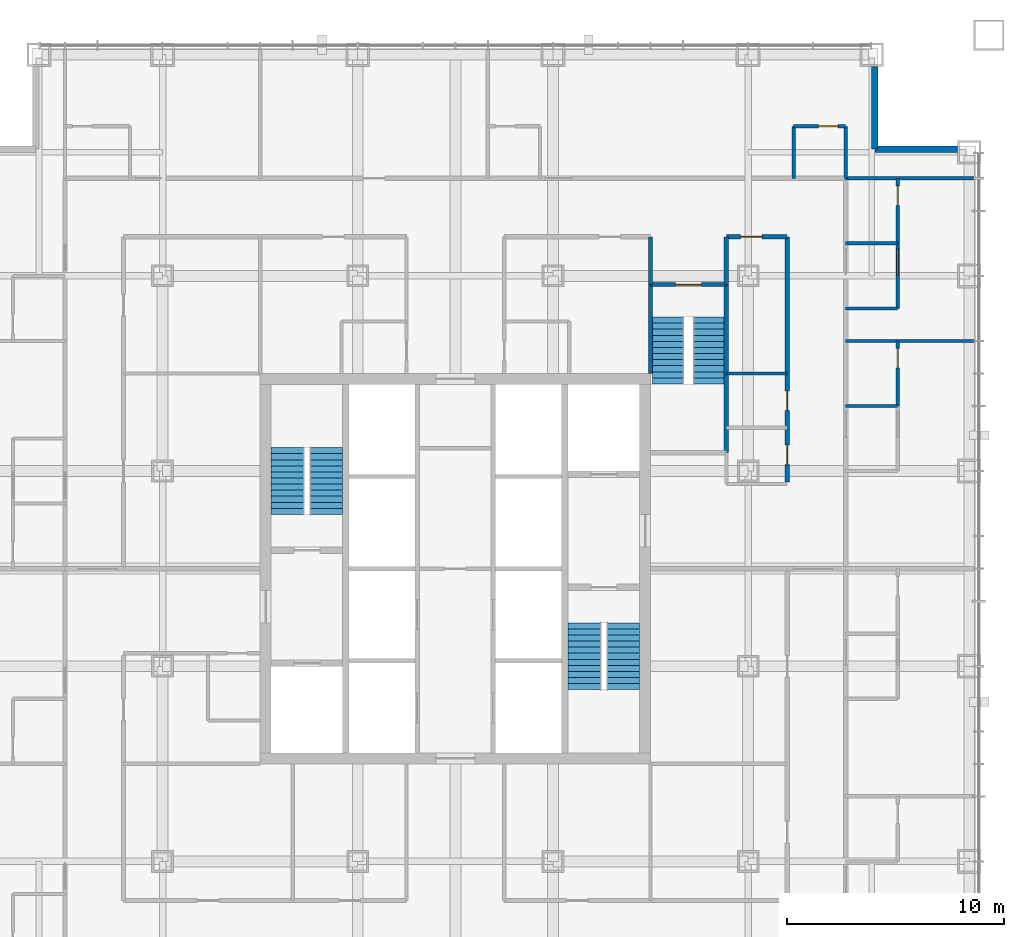
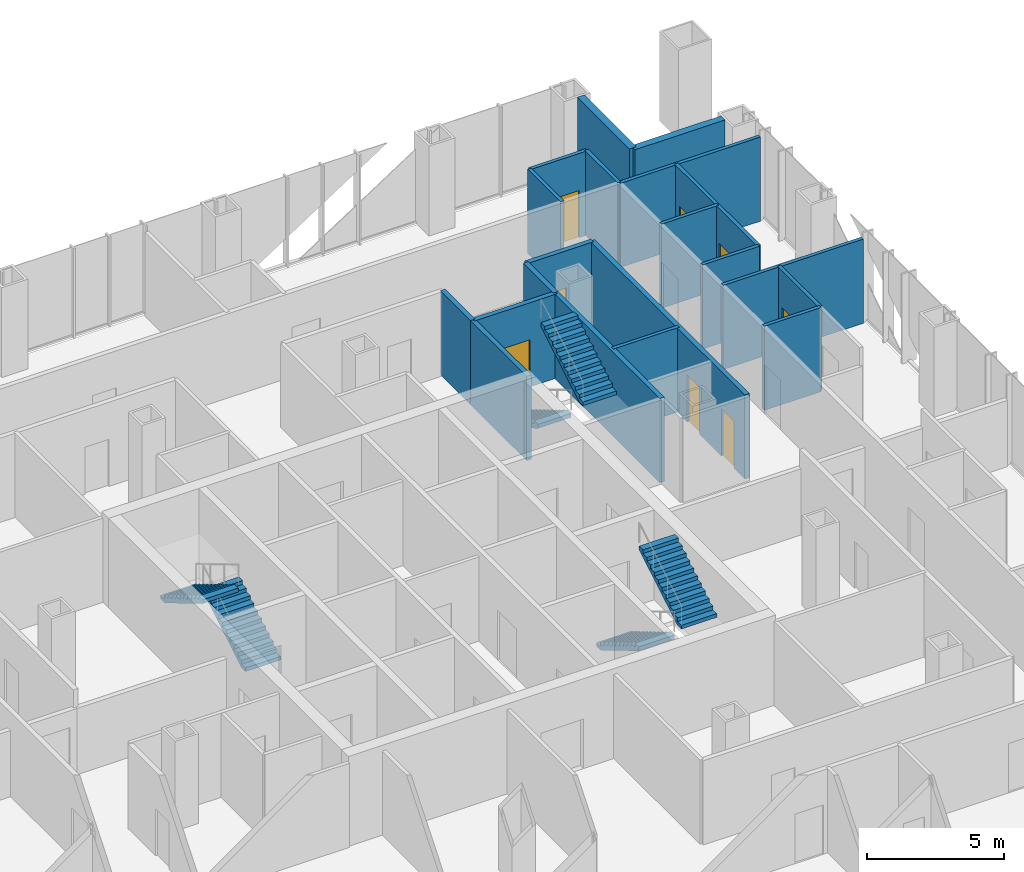
# One storey, part 12 of 13: 21 walls, 8 doors, 6 stair flights, 8 openings, 3 elements without a shape of their own.
"""IFC4 building model written with IfcOpenShell, lengths in metres."""

from ifc_helpers import new_model, si_unit, direction, frame, frame_2d, origin, place, context, subcontext, project, spatial, polyline, rectangle, outline, extrude, material, layer, layer_set, type_object, element, fill, aggregate, save


model = new_model("IFC4")

# Units and contexts
model_context = context("Model", 3, precision=1e-05, world=origin(), true_north=direction((0.0, 1.0)))
body_context = subcontext(model_context, "Body", "Model", "MODEL_VIEW")
ifc_project = project(units=[si_unit("LENGTHUNIT", "METRE"), si_unit("AREAUNIT", "SQUARE_METRE"), si_unit("VOLUMEUNIT", "CUBIC_METRE"), si_unit("PLANEANGLEUNIT", "RADIAN"), si_unit("MASSUNIT", "GRAM", prefix="KILO")], contexts=[model_context])

# Site, building, storey
site_placement = place(None, origin())
site = spatial("IfcSite", under=ifc_project, at=site_placement, CompositionType="ELEMENT")
building_placement = place(site_placement, origin())
building = spatial("IfcBuilding", under=site, at=building_placement, Name="Malebo Sky Hospital", CompositionType="ELEMENT")
storey_placement = place(building_placement, frame((0.0, 0.0, 160.0)))
storey = spatial("IfcBuildingStorey", under=building, at=storey_placement, Name="L38", CompositionType="ELEMENT", Elevation=160.0)

# Wall, opening, door
ifc_material_1 = material(Name="Gypsum board on steel studs", Category="steel")
ifc_layer_1 = layer(ifc_material_1, 0.199951171875)
ifc_layer_set_1 = layer_set([ifc_layer_1], Name="CORRIDOR WALL 200")
wall_type_1 = type_object("IfcWallType", Name="CORRIDOR WALL 200", PredefinedType="PARTITIONING", material=ifc_layer_set_1)
wall_1_placement = place(storey_placement, frame((72.5, 77.300048828125, 0.0), z_axis=(0.0, 0.0, 1.0), x_axis=(1.0, 0.0, 0.0)))
wall_1 = element("IfcWall", 1, at=wall_1_placement, inside=storey, type_object=wall_type_1, Name="Corridor Wall 200 NCI2/2", PredefinedType="PARTITIONING", context=body_context, shape_type="SweptSolid", body=[
    extrude(rectangle(XDim=2.800048828125, YDim=0.199951171875, at=frame_2d((1.39990234375, 0.0))), origin(), (0.0, 0.0, 1.0), 3.75),
])
opening_1_placement = place(wall_1_placement, frame((0.64990234375, 0.0, 0.0)))
opening_1 = element("IfcOpeningElement", 2, at=opening_1_placement, cuts=wall_1, Name="Opening D03", PredefinedType="OPENING", context=body_context, shape_type="SweptSolid", body=[
    extrude(rectangle(XDim=1.0, YDim=2.10009765625, at=frame_2d((0.5, 1.050048828125))), frame((0.0, 0.10986328125, 0.0), z_axis=(0.0, -1.0, 0.0), x_axis=(1.0, 0.0, 0.0)), (0.0, 0.0, 1.0), 0.219970703125),
])
ifc_material_2 = material(Name="Hardwood-faced door leaf in steel frame", Category="steel")
door_type_1 = type_object("IfcDoorType", Name="ROOM DOOR 1000", OperationType="SINGLE_SWING_LEFT", PredefinedType="DOOR", material=ifc_material_2)
door_1_placement = place(opening_1_placement, origin())
door_1 = element("IfcDoor", 3, at=door_1_placement, inside=storey, type_object=door_type_1, Name="Equipment store door", OperationType="SINGLE_SWING_LEFT", OverallHeight=2.10009765625, OverallWidth=1.0, PredefinedType="DOOR", context=body_context, shape_type="SweptSolid", body=[
    extrude(rectangle(XDim=1.0, YDim=2.10009765625, at=frame_2d((0.5, 1.050048828125))), frame((0.0, 0.02490234375, 0.0), z_axis=(0.0, -1.0, 0.0), x_axis=(1.0, 0.0, 0.0)), (0.0, 0.0, 1.0), 0.050048828125),
])
fill(opening_1, door_1)

# Wall, openings, doors
wall_2_placement = place(storey_placement, frame((75.300048828125, 77.300048828125, 0.0), z_axis=(0.0, 0.0, 1.0), x_axis=(0.0, -1.0, 0.0)))
wall_2 = element("IfcWall", 4, at=wall_2_placement, inside=storey, type_object=wall_type_1, Name="Corridor Wall 200 ECI1", PredefinedType="PARTITIONING", context=body_context, shape_type="SweptSolid", body=[
    extrude(rectangle(XDim=11.300048828125, YDim=0.199951171875, at=frame_2d((5.64990234375, 0.0))), origin(), (0.0, 0.0, 1.0), 3.75),
])
opening_2_placement = place(wall_2_placement, frame((7.10009765625, 0.0, 0.0)))
opening_2 = element("IfcOpeningElement", 5, at=opening_2_placement, cuts=wall_2, Name="Opening D04", PredefinedType="OPENING", context=body_context, shape_type="SweptSolid", body=[
    extrude(rectangle(XDim=0.89990234375, YDim=2.10009765625, at=frame_2d((0.449951171875, 1.050048828125))), frame((0.0, 0.10986328125, 0.0), z_axis=(0.0, -1.0, 0.0), x_axis=(1.0, 0.0, 0.0)), (0.0, 0.0, 1.0), 0.219970703125),
])
opening_3_placement = place(wall_2_placement, frame((9.60009765625, 0.0, 0.0)))
opening_3 = element("IfcOpeningElement", 6, at=opening_3_placement, cuts=wall_2, Name="Opening D04", PredefinedType="OPENING", context=body_context, shape_type="SweptSolid", body=[
    extrude(rectangle(XDim=0.89990234375, YDim=2.10009765625, at=frame_2d((0.449951171875, 1.050048828125))), frame((0.0, 0.10986328125, 0.0), z_axis=(0.0, -1.0, 0.0), x_axis=(1.0, 0.0, 0.0)), (0.0, 0.0, 1.0), 0.219970703125),
])
door_type_2 = type_object("IfcDoorType", Name="ROOM DOOR 900", OperationType="SINGLE_SWING_LEFT", PredefinedType="DOOR", material=ifc_material_2)
door_2_placement = place(opening_2_placement, origin())
door_2 = element("IfcDoor", 7, at=door_2_placement, inside=storey, type_object=door_type_2, Name="Medication room door", OperationType="SINGLE_SWING_LEFT", OverallHeight=2.10009765625, OverallWidth=0.89990234375, PredefinedType="DOOR", context=body_context, shape_type="SweptSolid", body=[
    extrude(rectangle(XDim=0.89990234375, YDim=2.10009765625, at=frame_2d((0.449951171875, 1.050048828125))), frame((0.0, 0.02490234375, 0.0), z_axis=(0.0, -1.0, 0.0), x_axis=(1.0, 0.0, 0.0)), (0.0, 0.0, 1.0), 0.050048828125),
])
fill(opening_2, door_2)
door_3_placement = place(opening_3_placement, origin())
door_3 = element("IfcDoor", 8, at=door_3_placement, inside=storey, type_object=door_type_2, Name="Linen store door", OperationType="SINGLE_SWING_LEFT", OverallHeight=2.10009765625, OverallWidth=0.89990234375, PredefinedType="DOOR", context=body_context, shape_type="SweptSolid", body=[
    extrude(rectangle(XDim=0.89990234375, YDim=2.10009765625, at=frame_2d((0.449951171875, 1.050048828125))), frame((0.0, 0.02490234375, 0.0), z_axis=(0.0, -1.0, 0.0), x_axis=(1.0, 0.0, 0.0)), (0.0, 0.0, 1.0), 0.050048828125),
])
fill(opening_3, door_3)

# Walls
for number, where, z_axis, x_axis, name in (
    (9, (69.0, 75.10009765625, 0.0), (0.0, 0.0, 1.0), (0.0, 1.0, 0.0), "Corridor Wall 200 ST3AW"),
    (10, (72.5, 75.10009765625, 0.0), (0.0, 0.0, 1.0), (0.0, 1.0, 0.0), "Corridor Wall 200 ST3AE"),
):
    element("IfcWall", number, at=place(storey_placement, frame(where, z_axis=z_axis, x_axis=x_axis)), inside=storey, type_object=wall_type_1, Name=name, PredefinedType="PARTITIONING", context=body_context, shape_type="SweptSolid", body=[
        extrude(rectangle(XDim=2.199951171875, YDim=0.199951171875, at=frame_2d((1.10009765625, 0.0))), origin(), (0.0, 0.0, 1.0), 3.75),
    ])
ifc_material_3 = material(Name="Anodised aluminium rainscreen on steel framing", Category="steel")
ifc_layer_2 = layer(ifc_material_3, 0.300048828125)
ifc_layer_set_2 = layer_set([ifc_layer_2], Name="NOTCH RAINSCREEN WALL 300")
wall_type_2 = type_object("IfcWallType", Name="NOTCH RAINSCREEN WALL 300", PredefinedType="ELEMENTEDWALL", material=ifc_layer_set_2)
for number, where, z_axis, x_axis, name in (
    (11, (79.35009765625, 85.14990234375, 0.0), (0.0, 0.0, 1.0), (0.0, -1.0, 0.0), "Notch rainscreen wall N1 L38"),
    (12, (79.35009765625, 81.35009765625, 0.0), (0.0, 0.0, 1.0), (1.0, 0.0, 0.0), "Notch rainscreen wall N2 L38"),
):
    element("IfcWall", number, at=place(storey_placement, frame(where, z_axis=z_axis, x_axis=x_axis)), inside=storey, type_object=wall_type_2, Name=name, PredefinedType="ELEMENTEDWALL", context=body_context, shape_type="SweptSolid", body=[
        extrude(rectangle(XDim=3.7998046875, YDim=0.300048828125, at=frame_2d((1.89990234375, 0.0))), origin(), (0.0, 0.0, 1.0), 4.0),
    ])

# Wall, opening, door
ifc_layer_3 = layer(ifc_material_1, 0.14990234375)
ifc_layer_set_3 = layer_set([ifc_layer_3], Name="PARTITION 150")
wall_type_3 = type_object("IfcWallType", Name="PARTITION 150", PredefinedType="PARTITIONING", material=ifc_layer_set_3)
wall_3_placement = place(storey_placement, frame((75.60009765625, 82.39990234375, 0.0), z_axis=(0.0, 0.0, 1.0), x_axis=(1.0, 0.0, 0.0)))
wall_3 = element("IfcWall", 13, at=wall_3_placement, inside=storey, type_object=wall_type_3, Name="Partition 150 NG2F", PredefinedType="PARTITIONING", context=body_context, shape_type="SweptSolid", body=[
    extrude(rectangle(XDim=2.39990234375, YDim=0.14990234375, at=frame_2d((1.199951171875, 0.0))), origin(), (0.0, 0.0, 1.0), 3.75),
])
opening_4_placement = place(wall_3_placement, frame((1.14990234375, 0.0, 0.0)))
opening_4 = element("IfcOpeningElement", 14, at=opening_4_placement, cuts=wall_3, Name="Opening D02", PredefinedType="OPENING", context=body_context, shape_type="SweptSolid", body=[
    extrude(rectangle(XDim=0.89990234375, YDim=2.10009765625, at=frame_2d((0.449951171875, 1.050048828125))), frame((0.0, 0.0849609375, 0.0), z_axis=(0.0, -1.0, 0.0), x_axis=(1.0, 0.0, 0.0)), (0.0, 0.0, 1.0), 0.169921875),
])
door_type_3 = type_object("IfcDoorType", Name="EN-SUITE DOOR 900", OperationType="SINGLE_SWING_LEFT", PredefinedType="DOOR", material=ifc_material_2)
door_4_placement = place(opening_4_placement, origin())
door_4 = element("IfcDoor", 15, at=door_4_placement, inside=storey, type_object=door_type_3, Name="En-suite door", OperationType="SINGLE_SWING_RIGHT", OverallHeight=2.10009765625, OverallWidth=0.89990234375, PredefinedType="DOOR", context=body_context, shape_type="SweptSolid", body=[
    extrude(rectangle(XDim=0.89990234375, YDim=2.10009765625, at=frame_2d((0.449951171875, 1.050048828125))), frame((0.0, 0.02490234375, 0.0), z_axis=(0.0, -1.0, 0.0), x_axis=(1.0, 0.0, 0.0)), (0.0, 0.0, 1.0), 0.050048828125),
])
fill(opening_4, door_4)

# Walls
for number, where, z_axis, x_axis, name in (
    (16, (75.60009765625, 80.0, 0.0), (0.0, 0.0, 1.0), (0.0, 1.0, 0.0), "Partition 150 NG2S"),
    (17, (78.0, 80.0, 0.0), (0.0, 0.0, 1.0), (0.0, 1.0, 0.0), "Partition 150 NEZ"),
):
    element("IfcWall", number, at=place(storey_placement, frame(where, z_axis=z_axis, x_axis=x_axis)), inside=storey, type_object=wall_type_3, Name=name, PredefinedType="PARTITIONING", context=body_context, shape_type="SweptSolid", body=[
        extrude(rectangle(XDim=2.39990234375, YDim=0.14990234375, at=frame_2d((1.199951171875, 0.0))), origin(), (0.0, 0.0, 1.0), 3.75),
    ])
for number, where, z_axis, x_axis, name in (
    (18, (78.0, 72.5, 0.0), (0.0, 0.0, 1.0), (1.0, 0.0, 0.0), "Partition 150 EP-10.5"),
    (19, (78.0, 80.0, 0.0), (0.0, 0.0, 1.0), (1.0, 0.0, 0.0), "Partition 150 EP0"),
):
    element("IfcWall", number, at=place(storey_placement, frame(where, z_axis=z_axis, x_axis=x_axis)), inside=storey, type_object=wall_type_3, Name=name, PredefinedType="PARTITIONING", context=body_context, shape_type="SweptSolid", body=[
        extrude(rectangle(XDim=5.909912109375, YDim=0.14990234375, at=frame_2d((2.955078125, 0.0))), origin(), (0.0, 0.0, 1.0), 3.75),
    ])

# Wall, opening, door
wall_4_placement = place(storey_placement, frame((80.39990234375, 80.0, 0.0), z_axis=(0.0, 0.0, 1.0), x_axis=(0.0, -1.0, 0.0)))
wall_4 = element("IfcWall", 20, at=wall_4_placement, inside=storey, type_object=wall_type_3, Name="Partition 150 EE0F", PredefinedType="PARTITIONING", context=body_context, shape_type="SweptSolid", body=[
    extrude(rectangle(XDim=3.0, YDim=0.14990234375, at=frame_2d((1.5, 0.0))), origin(), (0.0, 0.0, 1.0), 3.75),
])
opening_5_placement = place(wall_4_placement, frame((0.35009765625, 0.0, 0.0)))
opening_5 = element("IfcOpeningElement", 21, at=opening_5_placement, cuts=wall_4, Name="Opening D02", PredefinedType="OPENING", context=body_context, shape_type="SweptSolid", body=[
    extrude(rectangle(XDim=0.89990234375, YDim=2.10009765625, at=frame_2d((0.449951171875, 1.050048828125))), frame((0.0, 0.0849609375, 0.0), z_axis=(0.0, -1.0, 0.0), x_axis=(1.0, 0.0, 0.0)), (0.0, 0.0, 1.0), 0.169921875),
])
door_5_placement = place(opening_5_placement, origin())
door_5 = element("IfcDoor", 22, at=door_5_placement, inside=storey, type_object=door_type_3, Name="En-suite door", OperationType="SINGLE_SWING_LEFT", OverallHeight=2.10009765625, OverallWidth=0.89990234375, PredefinedType="DOOR", context=body_context, shape_type="SweptSolid", body=[
    extrude(rectangle(XDim=0.89990234375, YDim=2.10009765625, at=frame_2d((0.449951171875, 1.050048828125))), frame((0.0, 0.02490234375, 0.0), z_axis=(0.0, -1.0, 0.0), x_axis=(1.0, 0.0, 0.0)), (0.0, 0.0, 1.0), 0.050048828125),
])
fill(opening_5, door_5)

# Wall
wall_5_placement = place(storey_placement, frame((78.0, 77.0, 0.0), z_axis=(0.0, 0.0, 1.0), x_axis=(1.0, 0.0, 0.0)))
element("IfcWall", 23, at=wall_5_placement, inside=storey, type_object=wall_type_3, Name="Partition 150 EE0S", PredefinedType="PARTITIONING", context=body_context, shape_type="SweptSolid", body=[
    extrude(rectangle(XDim=2.39990234375, YDim=0.14990234375, at=frame_2d((1.199951171875, 0.0))), origin(), (0.0, 0.0, 1.0), 3.75),
])

# Wall, opening, door
wall_6_placement = place(storey_placement, frame((80.39990234375, 72.5, 0.0), z_axis=(0.0, 0.0, 1.0), x_axis=(0.0, -1.0, 0.0)))
wall_6 = element("IfcWall", 24, at=wall_6_placement, inside=storey, type_object=wall_type_3, Name="Partition 150 EE1F", PredefinedType="PARTITIONING", context=body_context, shape_type="SweptSolid", body=[
    extrude(rectangle(XDim=3.0, YDim=0.14990234375, at=frame_2d((1.5, 0.0))), origin(), (0.0, 0.0, 1.0), 3.75),
])
opening_6_placement = place(wall_6_placement, frame((0.35009765625, 0.0, 0.0)))
opening_6 = element("IfcOpeningElement", 25, at=opening_6_placement, cuts=wall_6, Name="Opening D02", PredefinedType="OPENING", context=body_context, shape_type="SweptSolid", body=[
    extrude(rectangle(XDim=0.89990234375, YDim=2.10009765625, at=frame_2d((0.449951171875, 1.050048828125))), frame((0.0, 0.0849609375, 0.0), z_axis=(0.0, -1.0, 0.0), x_axis=(1.0, 0.0, 0.0)), (0.0, 0.0, 1.0), 0.169921875),
])
door_6_placement = place(opening_6_placement, origin())
door_6 = element("IfcDoor", 26, at=door_6_placement, inside=storey, type_object=door_type_3, Name="En-suite door", OperationType="SINGLE_SWING_LEFT", OverallHeight=2.10009765625, OverallWidth=0.89990234375, PredefinedType="DOOR", context=body_context, shape_type="SweptSolid", body=[
    extrude(rectangle(XDim=0.89990234375, YDim=2.10009765625, at=frame_2d((0.449951171875, 1.050048828125))), frame((0.0, 0.02490234375, 0.0), z_axis=(0.0, -1.0, 0.0), x_axis=(1.0, 0.0, 0.0)), (0.0, 0.0, 1.0), 0.050048828125),
])
fill(opening_6, door_6)

# Walls
wall_7_placement = place(storey_placement, frame((78.0, 69.5, 0.0), z_axis=(0.0, 0.0, 1.0), x_axis=(1.0, 0.0, 0.0)))
element("IfcWall", 27, at=wall_7_placement, inside=storey, type_object=wall_type_3, Name="Partition 150 EE1S", PredefinedType="PARTITIONING", context=body_context, shape_type="SweptSolid", body=[
    extrude(rectangle(XDim=2.39990234375, YDim=0.14990234375, at=frame_2d((1.199951171875, 0.0))), origin(), (0.0, 0.0, 1.0), 3.75),
])
wall_8_placement = place(storey_placement, frame((72.5, 71.0, 0.0), z_axis=(0.0, 0.0, 1.0), x_axis=(1.0, 0.0, 0.0)))
element("IfcWall", 28, at=wall_8_placement, inside=storey, type_object=wall_type_3, Name="Partition 150 ESP0", PredefinedType="PARTITIONING", context=body_context, shape_type="SweptSolid", body=[
    extrude(rectangle(XDim=2.800048828125, YDim=0.14990234375, at=frame_2d((1.39990234375, 0.0))), origin(), (0.0, 0.0, 1.0), 3.75),
])

# Wall, opening, door
ifc_material_4 = material(Name="Sealed gypsum board on steel studs, taped to the slab", Category="steel")
ifc_layer_4 = layer(ifc_material_4, 0.14990234375)
ifc_layer_set_4 = layer_set([ifc_layer_4], Name="SEALED ISOLATION PARTITION 150")
wall_type_4 = type_object("IfcWallType", Name="SEALED ISOLATION PARTITION 150", PredefinedType="PARTITIONING", material=ifc_layer_set_4)
wall_9_placement = place(storey_placement, frame((80.39990234375, 77.0, 0.0), z_axis=(0.0, 0.0, 1.0), x_axis=(0.0, -1.0, 0.0)))
wall_9 = element("IfcWall", 29, at=wall_9_placement, inside=storey, type_object=wall_type_4, Name="Sealed Isolation Partition 150 EA0F", PredefinedType="PARTITIONING", context=body_context, shape_type="SweptSolid", body=[
    extrude(rectangle(XDim=3.0, YDim=0.14990234375, at=frame_2d((1.5, 0.0))), origin(), (0.0, 0.0, 1.0), 3.75),
])
opening_7_placement = place(wall_9_placement, frame((0.25, 0.0, 0.0)))
opening_7 = element("IfcOpeningElement", 30, at=opening_7_placement, cuts=wall_9, Name="Opening D19", PredefinedType="OPENING", context=body_context, shape_type="SweptSolid", body=[
    extrude(rectangle(XDim=1.199951171875, YDim=2.199951171875, at=frame_2d((0.60009765625, 1.10009765625))), frame((0.0, 0.0849609375, 0.0), z_axis=(0.0, -1.0, 0.0), x_axis=(1.0, 0.0, 0.0)), (0.0, 0.0, 1.0), 0.169921875),
])
ifc_material_5 = material(Name="Hardwood-faced door leaf with perimeter seals in steel frame", Category="steel")
door_type_4 = type_object("IfcDoorType", Name="SEALED ISOLATION ROOM DOOR 1200", OperationType="SINGLE_SWING_LEFT", PredefinedType="DOOR", material=ifc_material_5)
door_7_placement = place(opening_7_placement, origin())
door_7 = element("IfcDoor", 31, at=door_7_placement, inside=storey, type_object=door_type_4, Name="Isolation room door", OperationType="SINGLE_SWING_LEFT", OverallHeight=2.199951171875, OverallWidth=1.199951171875, PredefinedType="DOOR", context=body_context, shape_type="SweptSolid", body=[
    extrude(rectangle(XDim=1.199951171875, YDim=2.199951171875, at=frame_2d((0.60009765625, 1.10009765625))), frame((0.0, 0.02490234375, 0.0), z_axis=(0.0, -1.0, 0.0), x_axis=(1.0, 0.0, 0.0)), (0.0, 0.0, 1.0), 0.050048828125),
])
fill(opening_7, door_7)

# Walls
wall_10_placement = place(storey_placement, frame((78.0, 74.0, 0.0), z_axis=(0.0, 0.0, 1.0), x_axis=(1.0, 0.0, 0.0)))
element("IfcWall", 32, at=wall_10_placement, inside=storey, type_object=wall_type_4, Name="Sealed Isolation Partition 150 EA0S", PredefinedType="PARTITIONING", context=body_context, shape_type="SweptSolid", body=[
    extrude(rectangle(XDim=2.39990234375, YDim=0.14990234375, at=frame_2d((1.199951171875, 0.0))), origin(), (0.0, 0.0, 1.0), 3.75),
])
ifc_material_6 = material(Name="Concrete C40/50", Category="concrete")
ifc_layer_5 = layer(ifc_material_6, 0.199951171875)
ifc_layer_set_5 = layer_set([ifc_layer_5], Name="STAIR ENCLOSURE WALL 200")
wall_type_5 = type_object("IfcWallType", Name="STAIR ENCLOSURE WALL 200", PredefinedType="SOLIDWALL", material=ifc_layer_set_5)
wall_11_placement = place(storey_placement, frame((69.0, 71.0, 0.0), z_axis=(0.0, 0.0, 1.0), x_axis=(0.0, 1.0, 0.0)))
element("IfcWall", 33, at=wall_11_placement, inside=storey, type_object=wall_type_5, Name="Stair Enclosure Wall 200 ST3W", PredefinedType="SOLIDWALL", context=body_context, shape_type="SweptSolid", body=[
    extrude(rectangle(XDim=4.10009765625, YDim=0.199951171875, at=frame_2d((2.050048828125, 0.0))), origin(), (0.0, 0.0, 1.0), 3.75),
])
wall_12_placement = place(storey_placement, frame((72.5, 67.35009765625, 0.0), z_axis=(0.0, 0.0, 1.0), x_axis=(0.0, 1.0, 0.0)))
element("IfcWall", 34, at=wall_12_placement, inside=storey, type_object=wall_type_5, Name="Stair Enclosure Wall 200 ST3E", PredefinedType="SOLIDWALL", context=body_context, shape_type="SweptSolid", body=[
    extrude(rectangle(XDim=7.75, YDim=0.199951171875, at=frame_2d((3.875, 0.0))), origin(), (0.0, 0.0, 1.0), 3.75),
])

# Wall, opening, door
wall_13_placement = place(storey_placement, frame((69.0, 75.10009765625, 0.0), z_axis=(0.0, 0.0, 1.0), x_axis=(1.0, 0.0, 0.0)))
wall_13 = element("IfcWall", 35, at=wall_13_placement, inside=storey, type_object=wall_type_5, Name="Stair Enclosure Wall 200 ST3N", PredefinedType="SOLIDWALL", context=body_context, shape_type="SweptSolid", body=[
    extrude(rectangle(XDim=3.5, YDim=0.199951171875, at=frame_2d((1.75, 0.0))), origin(), (0.0, 0.0, 1.0), 3.75),
])
opening_8_placement = place(wall_13_placement, frame((1.14990234375, 0.0, 0.0)))
opening_8 = element("IfcOpeningElement", 36, at=opening_8_placement, cuts=wall_13, Name="Opening D08", PredefinedType="OPENING", context=body_context, shape_type="SweptSolid", body=[
    extrude(rectangle(XDim=1.199951171875, YDim=2.10009765625, at=frame_2d((0.60009765625, 1.050048828125))), frame((0.0, 0.10986328125, 0.0), z_axis=(0.0, -1.0, 0.0), x_axis=(1.0, 0.0, 0.0)), (0.0, 0.0, 1.0), 0.219970703125),
])
door_type_5 = type_object("IfcDoorType", Name="STAIR DOOR 1200", OperationType="SINGLE_SWING_LEFT", PredefinedType="DOOR", material=ifc_material_2)
door_8_placement = place(opening_8_placement, origin())
door_8 = element("IfcDoor", 37, at=door_8_placement, inside=storey, type_object=door_type_5, Name="Stair S3 door", OperationType="SINGLE_SWING_LEFT", OverallHeight=2.10009765625, OverallWidth=1.199951171875, PredefinedType="DOOR", context=body_context, shape_type="SweptSolid", body=[
    extrude(rectangle(XDim=1.199951171875, YDim=2.10009765625, at=frame_2d((0.60009765625, 1.050048828125))), frame((0.0, 0.02490234375, 0.0), z_axis=(0.0, -1.0, 0.0), x_axis=(1.0, 0.0, 0.0)), (0.0, 0.0, 1.0), 0.050048828125),
])
fill(opening_8, door_8)

# Stair, stair flights
stair_type_1 = type_object("IfcStairType", Name="HALF-TURN STAIR 1400 R167", PredefinedType="HALF_TURN_STAIR", material=ifc_material_6)
stair_1_placement = place(storey_placement, origin())
stair_1 = element("IfcStair", 38, at=stair_1_placement, inside=storey, type_object=stair_type_1, Name="Stair S3 L38 type ST1B", PredefinedType="HALF_TURN_STAIR")
stair_flight_type_1 = type_object("IfcStairFlightType", Name="STAIR FLIGHT 1400 R167", PredefinedType="STRAIGHT", material=ifc_material_6)
stair_flight_1_placement = place(storey_placement, frame((69.800048828125, 73.60009765625, 0.0), z_axis=(0.0, 0.0, 1.0), x_axis=(0.0, -1.0, 0.0)))
stair_flight_1 = element("IfcStairFlight", 39, at=stair_flight_1_placement, type_object=stair_flight_type_1, Name="S3 flight 1 type SF1B", NumberOfRisers=12, NumberOfTreads=11, PredefinedType="STRAIGHT", RiserHeight=0.166666667, TreadLength=0.28, context=body_context, shape_type="SweptSolid", body=[
    extrude(outline(polyline([(0.0, 0.0), (0.0, 0.166748046875), (0.280029296875, 0.166748046875), (0.280029296875, 0.333251953125), (0.56005859375, 0.333251953125), (0.56005859375, 0.5), (0.840087890625, 0.5), (0.840087890625, 0.666748046875), (1.1201171875, 0.666748046875), (1.1201171875, 0.833251953125), (1.39990234375, 0.833251953125), (1.39990234375, 1.0), (1.679931640625, 1.0), (1.679931640625, 1.166748046875), (1.9599609375, 1.166748046875), (1.9599609375, 1.333251953125), (2.239990234375, 1.333251953125), (2.239990234375, 1.5), (2.52001953125, 1.5), (2.52001953125, 1.666748046875), (2.800048828125, 1.666748046875), (2.800048828125, 1.833251953125), (3.080078125, 1.833251953125), (3.080078125, 2.0), (3.080078125, 1.658935546875), (0.29296875, 0.0), (0.0, 0.0)])), frame((0.0, 0.699951171875, 0.0), z_axis=(0.0, -1.0, 0.0), x_axis=(1.0, 0.0, 0.0)), (0.0, 0.0, 1.0), 1.39990234375),
])
stair_flight_2_placement = place(storey_placement, frame((71.699951171875, 70.52001953125, 2.0), z_axis=(0.0, 0.0, 1.0), x_axis=(0.0, 1.0, 0.0)))
stair_flight_2 = element("IfcStairFlight", 40, at=stair_flight_2_placement, type_object=stair_flight_type_1, Name="S3 flight 2 type SF1B", NumberOfRisers=12, NumberOfTreads=11, PredefinedType="STRAIGHT", RiserHeight=0.166666667, TreadLength=0.28, context=body_context, shape_type="SweptSolid", body=[
    extrude(outline(polyline([(0.0, 0.0), (0.0, 0.166748046875), (0.280029296875, 0.166748046875), (0.280029296875, 0.333251953125), (0.56005859375, 0.333251953125), (0.56005859375, 0.5), (0.840087890625, 0.5), (0.840087890625, 0.666748046875), (1.1201171875, 0.666748046875), (1.1201171875, 0.833251953125), (1.39990234375, 0.833251953125), (1.39990234375, 1.0), (1.679931640625, 1.0), (1.679931640625, 1.166748046875), (1.9599609375, 1.166748046875), (1.9599609375, 1.333251953125), (2.239990234375, 1.333251953125), (2.239990234375, 1.5), (2.52001953125, 1.5), (2.52001953125, 1.666748046875), (2.800048828125, 1.666748046875), (2.800048828125, 1.833251953125), (3.080078125, 1.833251953125), (3.080078125, 2.0), (3.080078125, 1.658935546875), (0.29296875, 0.0), (0.0, 0.0)])), frame((0.0, 0.699951171875, 0.0), z_axis=(0.0, -1.0, 0.0), x_axis=(1.0, 0.0, 0.0)), (0.0, 0.0, 1.0), 1.39990234375),
])
aggregate(stair_1, [stair_flight_1, stair_flight_2])

stair_type_2 = type_object("IfcStairType", Name="HALF-TURN STAIR 1500 R167", PredefinedType="HALF_TURN_STAIR", material=ifc_material_6)
stair_2_placement = place(storey_placement, origin())
stair_2 = element("IfcStair", 41, at=stair_2_placement, inside=storey, type_object=stair_type_2, Name="Stair S1 L38 type ST1", PredefinedType="HALF_TURN_STAIR")
stair_flight_type_2 = type_object("IfcStairFlightType", Name="STAIR FLIGHT 1500 R167", PredefinedType="STRAIGHT", material=ifc_material_6)
stair_flight_3_placement = place(storey_placement, frame((54.050048828125, 64.5, 0.0), z_axis=(0.0, 0.0, 1.0), x_axis=(0.0, 1.0, 0.0)))
stair_flight_3 = element("IfcStairFlight", 42, at=stair_flight_3_placement, type_object=stair_flight_type_2, Name="S1 flight 1 type SF1", NumberOfRisers=12, NumberOfTreads=11, PredefinedType="STRAIGHT", RiserHeight=0.166666667, TreadLength=0.28, context=body_context, shape_type="SweptSolid", body=[
    extrude(outline(polyline([(0.0, 0.0), (0.0, 0.166748046875), (0.280029296875, 0.166748046875), (0.280029296875, 0.333251953125), (0.56005859375, 0.333251953125), (0.56005859375, 0.5), (0.840087890625, 0.5), (0.840087890625, 0.666748046875), (1.1201171875, 0.666748046875), (1.1201171875, 0.833251953125), (1.39990234375, 0.833251953125), (1.39990234375, 1.0), (1.679931640625, 1.0), (1.679931640625, 1.166748046875), (1.9599609375, 1.166748046875), (1.9599609375, 1.333251953125), (2.239990234375, 1.333251953125), (2.239990234375, 1.5), (2.52001953125, 1.5), (2.52001953125, 1.666748046875), (2.800048828125, 1.666748046875), (2.800048828125, 1.833251953125), (3.080078125, 1.833251953125), (3.080078125, 2.0), (3.080078125, 1.658935546875), (0.29296875, 0.0), (0.0, 0.0)])), frame((0.0, 0.75, 0.0), z_axis=(0.0, -1.0, 0.0), x_axis=(1.0, 0.0, 0.0)), (0.0, 0.0, 1.0), 1.5),
])
stair_flight_4_placement = place(storey_placement, frame((52.25, 67.580078125, 2.0), z_axis=(0.0, 0.0, 1.0), x_axis=(0.0, -1.0, 0.0)))
stair_flight_4 = element("IfcStairFlight", 43, at=stair_flight_4_placement, type_object=stair_flight_type_2, Name="S1 flight 2 type SF1", NumberOfRisers=12, NumberOfTreads=11, PredefinedType="STRAIGHT", RiserHeight=0.166666667, TreadLength=0.28, context=body_context, shape_type="SweptSolid", body=[
    extrude(outline(polyline([(0.0, 0.0), (0.0, 0.166748046875), (0.280029296875, 0.166748046875), (0.280029296875, 0.333251953125), (0.56005859375, 0.333251953125), (0.56005859375, 0.5), (0.840087890625, 0.5), (0.840087890625, 0.666748046875), (1.1201171875, 0.666748046875), (1.1201171875, 0.833251953125), (1.39990234375, 0.833251953125), (1.39990234375, 1.0), (1.679931640625, 1.0), (1.679931640625, 1.166748046875), (1.9599609375, 1.166748046875), (1.9599609375, 1.333251953125), (2.239990234375, 1.333251953125), (2.239990234375, 1.5), (2.52001953125, 1.5), (2.52001953125, 1.666748046875), (2.800048828125, 1.666748046875), (2.800048828125, 1.833251953125), (3.080078125, 1.833251953125), (3.080078125, 2.0), (3.080078125, 1.658935546875), (0.29296875, 0.0), (0.0, 0.0)])), frame((0.0, 0.75, 0.0), z_axis=(0.0, -1.0, 0.0), x_axis=(1.0, 0.0, 0.0)), (0.0, 0.0, 1.0), 1.5),
])
aggregate(stair_2, [stair_flight_3, stair_flight_4])

stair_3_placement = place(storey_placement, origin())
stair_3 = element("IfcStair", 44, at=stair_3_placement, inside=storey, type_object=stair_type_2, Name="Stair S2 L38 type ST1", PredefinedType="HALF_TURN_STAIR")
stair_flight_5_placement = place(storey_placement, frame((65.949951171875, 59.5, 0.0), z_axis=(0.0, 0.0, 1.0), x_axis=(0.0, -1.0, 0.0)))
stair_flight_5 = element("IfcStairFlight", 45, at=stair_flight_5_placement, type_object=stair_flight_type_2, Name="S2 flight 1 type SF1", NumberOfRisers=12, NumberOfTreads=11, PredefinedType="STRAIGHT", RiserHeight=0.166666667, TreadLength=0.28, context=body_context, shape_type="SweptSolid", body=[
    extrude(outline(polyline([(0.0, 0.0), (0.0, 0.166748046875), (0.280029296875, 0.166748046875), (0.280029296875, 0.333251953125), (0.56005859375, 0.333251953125), (0.56005859375, 0.5), (0.840087890625, 0.5), (0.840087890625, 0.666748046875), (1.1201171875, 0.666748046875), (1.1201171875, 0.833251953125), (1.39990234375, 0.833251953125), (1.39990234375, 1.0), (1.679931640625, 1.0), (1.679931640625, 1.166748046875), (1.9599609375, 1.166748046875), (1.9599609375, 1.333251953125), (2.239990234375, 1.333251953125), (2.239990234375, 1.5), (2.52001953125, 1.5), (2.52001953125, 1.666748046875), (2.800048828125, 1.666748046875), (2.800048828125, 1.833251953125), (3.080078125, 1.833251953125), (3.080078125, 2.0), (3.080078125, 1.658935546875), (0.29296875, 0.0), (0.0, 0.0)])), frame((0.0, 0.75, 0.0), z_axis=(0.0, -1.0, 0.0), x_axis=(1.0, 0.0, 0.0)), (0.0, 0.0, 1.0), 1.5),
])
stair_flight_6_placement = place(storey_placement, frame((67.75, 56.419921875, 2.0), z_axis=(0.0, 0.0, 1.0), x_axis=(0.0, 1.0, 0.0)))
stair_flight_6 = element("IfcStairFlight", 46, at=stair_flight_6_placement, type_object=stair_flight_type_2, Name="S2 flight 2 type SF1", NumberOfRisers=12, NumberOfTreads=11, PredefinedType="STRAIGHT", RiserHeight=0.166666667, TreadLength=0.28, context=body_context, shape_type="SweptSolid", body=[
    extrude(outline(polyline([(0.0, 0.0), (0.0, 0.166748046875), (0.280029296875, 0.166748046875), (0.280029296875, 0.333251953125), (0.56005859375, 0.333251953125), (0.56005859375, 0.5), (0.840087890625, 0.5), (0.840087890625, 0.666748046875), (1.1201171875, 0.666748046875), (1.1201171875, 0.833251953125), (1.39990234375, 0.833251953125), (1.39990234375, 1.0), (1.679931640625, 1.0), (1.679931640625, 1.166748046875), (1.9599609375, 1.166748046875), (1.9599609375, 1.333251953125), (2.239990234375, 1.333251953125), (2.239990234375, 1.5), (2.52001953125, 1.5), (2.52001953125, 1.666748046875), (2.800048828125, 1.666748046875), (2.800048828125, 1.833251953125), (3.080078125, 1.833251953125), (3.080078125, 2.0), (3.080078125, 1.658935546875), (0.29296875, 0.0), (0.0, 0.0)])), frame((0.0, 0.75, 0.0), z_axis=(0.0, -1.0, 0.0), x_axis=(1.0, 0.0, 0.0)), (0.0, 0.0, 1.0), 1.5),
])
aggregate(stair_3, [stair_flight_5, stair_flight_6])

save(model, "model.ifc")
